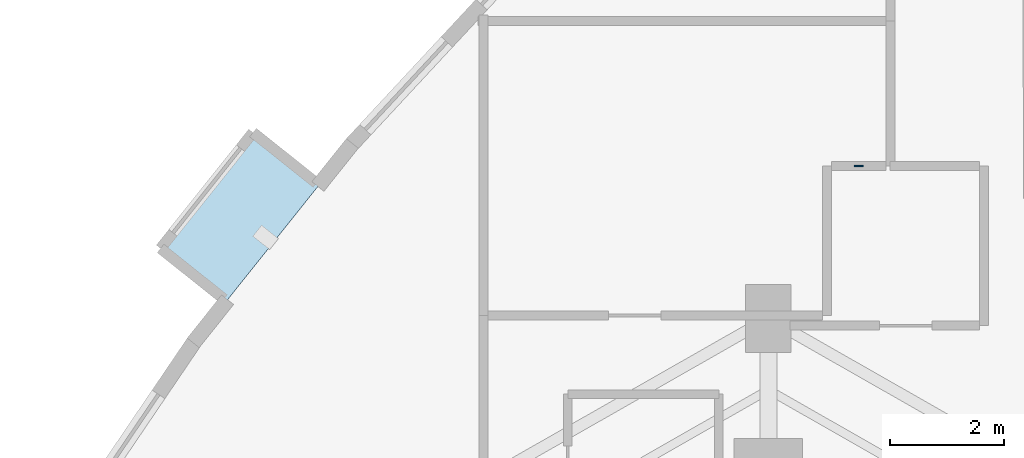
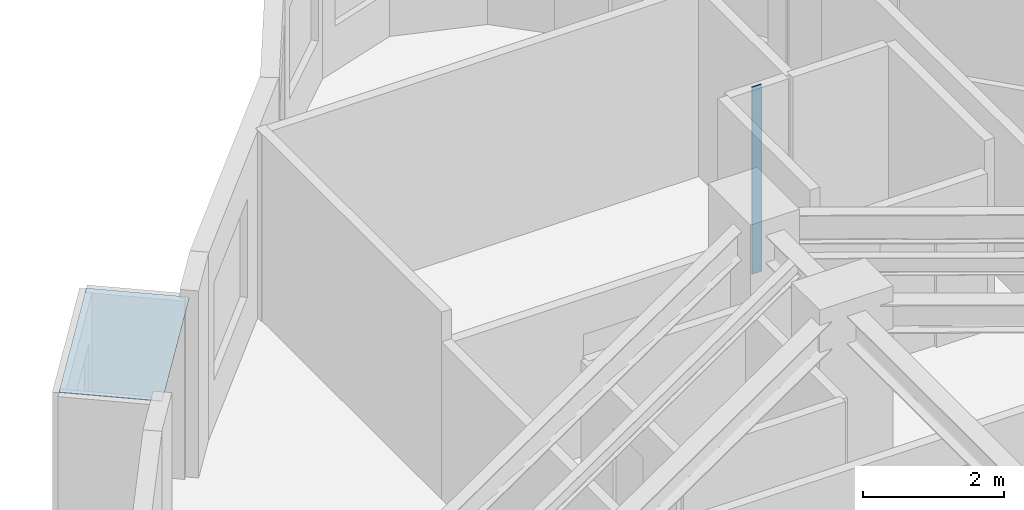
# One storey, part 5 of 12: 2 plates.
"""IFC4 building model written with IfcOpenShell, lengths in metres."""

from ifc_helpers import new_model, si_unit, direction, frame, origin, origin_2d, place, context, subcontext, project, spatial, polyline, rectangle, outline, extrude, material, layer, layer_set, type_object, element, save


model = new_model("IFC4")

# Units and contexts
model_context = context("Model", 3, precision=1e-05, world=origin(), true_north=direction((0.0, 1.0)))
body_context = subcontext(model_context, "Body", "Model", "MODEL_VIEW")
ifc_project = project(units=[si_unit("LENGTHUNIT", "METRE"), si_unit("AREAUNIT", "SQUARE_METRE"), si_unit("VOLUMEUNIT", "CUBIC_METRE"), si_unit("PLANEANGLEUNIT", "RADIAN"), si_unit("MASSUNIT", "GRAM", prefix="KILO")], contexts=[model_context])

# Site, building, storey
site_placement = place(None, origin())
site = spatial("IfcSite", under=ifc_project, at=site_placement, CompositionType="ELEMENT")
building_placement = place(site_placement, origin())
building = spatial("IfcBuilding", under=site, at=building_placement, Name="Miruveldt Soraemaru", CompositionType="ELEMENT")
storey_placement = place(building_placement, frame((0.0, 0.0, 145.89990234375)))
storey = spatial("IfcBuildingStorey", under=building, at=storey_placement, Name="L40", CompositionType="ELEMENT", Elevation=145.89990234375)

# Plates
ifc_material_1 = material(Name="Anodised aluminium EN AW-6063 T6", Category="aluminium")
ifc_layer_1 = layer(ifc_material_1, 0.02001953125, Name="Anodised aluminium EN AW-6063 T6", Category="aluminium")
ifc_layer_set_1 = layer_set([ifc_layer_1], Name="Anodised aluminium EN AW-6063 T6")
plate_type_1 = type_object("IfcPlateType", Name="PLT-PART-TRIM", PredefinedType="SHEET", material=ifc_layer_set_1)
plate_1_placement = place(storey_placement, frame((45.58740234375, 62.780029296875, 0.0), z_axis=(0.0, 0.0, 1.0), x_axis=(-1.0, 0.0, 0.0)))
element("IfcPlate", 1, at=plate_1_placement, inside=storey, type_object=plate_type_1, Name="L40 Partition Step Corner Trim Plate 027", PredefinedType="SHEET", context=body_context, shape_type="SweptSolid", body=[
    extrude(rectangle(XDim=0.159912109375, YDim=0.02001953125, at=origin_2d()), origin(), (0.0, 0.0, 1.0), 3.235107421875),
])
ifc_material_2 = material(Name="Standing-seam titanium-zinc sheet", Category="aluminium")
ifc_layer_2 = layer(ifc_material_2, 0.011962890625, Name="Standing-seam titanium-zinc sheet", Category="aluminium")
ifc_layer_set_2 = layer_set([ifc_layer_2], Name="Standing-seam titanium-zinc sheet")
plate_type_2 = type_object("IfcPlateType", Name="PLT-ZINC-12", PredefinedType="SHEET", material=ifc_layer_set_2)
plate_2_placement = place(storey_placement, frame((0.0, 0.0, 3.085205078125)))
element("IfcPlate", 2, at=plate_2_placement, inside=storey, type_object=plate_type_2, Name="L40 Bay Window Zinc Hood Sheet 4", PredefinedType="SHEET", context=body_context, shape_type="SweptSolid", body=[
    extrude(outline(polyline([(36.116455078125, 62.44482421875), (34.4951171875, 60.412353515625), (33.337890625, 61.335205078125), (34.95947265625, 63.367919921875), (36.116455078125, 62.44482421875)])), origin(), (0.0, 0.0, 1.0), 0.011962890625),
])

save(model, "model.ifc")
